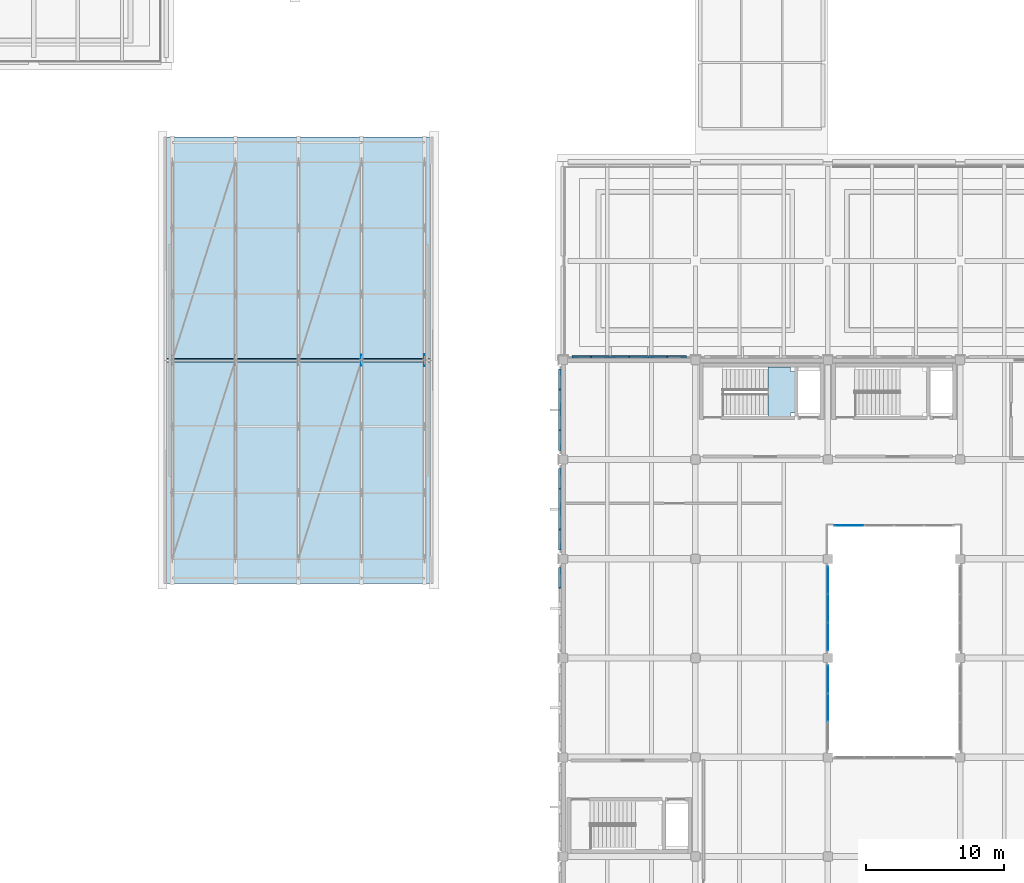
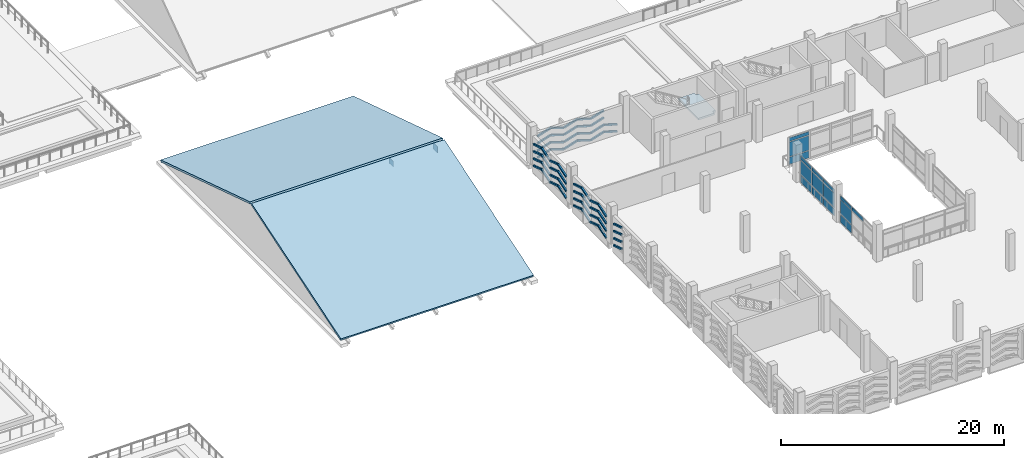
# One storey, part 94 of 134: 76 plates, 3 slabs, 4 elements without a shape of their own.
"""IFC4 building model written with IfcOpenShell, lengths in metres."""

import ifcopenshell
import ifcopenshell.guid

model = None  # the IFC model being written
_history = None  # IfcOwnerHistory: only IFC2X3 demands one
_inside = {}  # id of a spatial element -> (the spatial element, [elements in it])
_under = {}  # id of a project, library or spatial element -> (it, [spatial elements below it])
_declared = {}  # id of a project -> (the project, [libraries it declares])
_typed = {}  # id of a type object -> (the type object, [elements of that type])
_made_of = {}  # id of a material, layer set ... -> (it, [elements and type objects made of it])


def new_model(schema):
    """Start an empty IFC model of exactly this schema.

    Asked for "IFC4X3", IfcOpenShell would pick the latest addendum, in which some entities
    have other attributes; the version numbers below select the first issue.
    IFC2X3 requires an IfcOwnerHistory on every rooted entity: one is made here for all.
    """
    global model, _history
    if schema == "IFC4X3":
        model = ifcopenshell.file(schema_version=(4, 3, 0, 0))
    else:
        model = ifcopenshell.file(schema=schema)
    _inside.clear()
    _under.clear()
    _declared.clear()
    _typed.clear()
    _made_of.clear()
    _history = None
    if model.schema == "IFC2X3":
        org = make("IfcOrganization", Name="unknown")
        user = make(
            "IfcPersonAndOrganization",
            ThePerson=make("IfcPerson", FamilyName="unknown"),
            TheOrganization=org,
        )
        app = make(
            "IfcApplication",
            ApplicationDeveloper=org,
            Version="unknown",
            ApplicationFullName="unknown",
            ApplicationIdentifier="unknown",
        )
        _history = make(
            "IfcOwnerHistory",
            OwningUser=user,
            OwningApplication=app,
            ChangeAction="ADDED",
            CreationDate=0,
        )
    return model


def make(cls, **values):
    """One entity of the class cls with the attributes given. An attribute that is None is left unset."""
    return model.create_entity(
        cls, **{name: value for name, value in values.items() if value is not None}
    )


def rooted(cls, **values):
    """An entity with a GlobalId (a new one), such as an element, a storey or a relation."""
    return make(cls, GlobalId=ifcopenshell.guid.new(), OwnerHistory=_history, **values)


def si_unit(unit_type, name, prefix=None):
    """IfcSIUnit, for example si_unit("LENGTHUNIT", "METRE", prefix="MILLI")."""
    return make("IfcSIUnit", UnitType=unit_type, Prefix=prefix, Name=name)


def assignment(units):
    """IfcUnitAssignment: the units of a project."""
    return None if units is None else make("IfcUnitAssignment", Units=units)


def point(xyz):
    """IfcCartesianPoint."""
    return None if xyz is None else make("IfcCartesianPoint", Coordinates=xyz)


def direction(xyz):
    """IfcDirection."""
    return None if xyz is None else make("IfcDirection", DirectionRatios=xyz)


def frame(location, z_axis=None, x_axis=None):
    """IfcAxis2Placement3D, a coordinate frame: its origin and axes. An axis left out is left unset."""
    return make(
        "IfcAxis2Placement3D",
        Location=point(location),
        Axis=direction(z_axis),
        RefDirection=direction(x_axis),
    )


def frame_2d(location, x_axis=None):
    """IfcAxis2Placement2D, a coordinate frame in the plane: its origin and x axis."""
    return make(
        "IfcAxis2Placement2D", Location=point(location), RefDirection=direction(x_axis)
    )


def origin():
    """The frame at (0, 0, 0) with its axes left unset."""
    return frame((0.0, 0.0, 0.0))


def origin_2d():
    """The frame at (0, 0) in the plane with its x axis left unset."""
    return frame_2d((0.0, 0.0))


def place(relative_to, where):
    """IfcLocalPlacement: puts the frame where relative to a parent placement (None: the world)."""
    return make(
        "IfcLocalPlacement", PlacementRelTo=relative_to, RelativePlacement=where
    )


def context(
    kind, dimensions, precision=None, world=None, true_north=None, identifier=None
):
    """IfcGeometricRepresentationContext, for example the 3D "Model" context."""
    return make(
        "IfcGeometricRepresentationContext",
        ContextIdentifier=identifier,
        ContextType=kind,
        CoordinateSpaceDimension=dimensions,
        Precision=precision,
        WorldCoordinateSystem=world,
        TrueNorth=true_north,
    )


def subcontext(parent, identifier, kind, view, scale=None):
    """IfcGeometricRepresentationSubContext, for example "Body" below "Model"."""
    return make(
        "IfcGeometricRepresentationSubContext",
        ContextIdentifier=identifier,
        ContextType=kind,
        ParentContext=parent,
        TargetScale=scale,
        TargetView=view,
    )


def project(units=None, contexts=None):
    """IfcProject with its units and contexts."""
    return rooted(
        "IfcProject",
        Name="project",
        RepresentationContexts=contexts,
        UnitsInContext=assignment(units),
    )


def spatial(cls, under=None, at=None, **own):
    """A site, building, storey or space (cls), placed at a placement, below another one or the project."""
    s = rooted(cls, ObjectPlacement=at, **own)
    if under is not None:
        _under.setdefault(under.id(), (under, []))[1].append(s)
    return s


def polyline(points):
    """IfcPolyline through the points."""
    return make("IfcPolyline", Points=[point(p) for p in points])


def profile(cls, at=None, kind="AREA", **sizes):
    """A parametric profile (cls). Its sizes go by their IFC names, for example OverallWidth=200.0."""
    return make(cls, ProfileType=kind, Position=at, **sizes)


def rectangle(**sizes):
    """IfcRectangleProfileDef."""
    return profile("IfcRectangleProfileDef", **sizes)


def hollow_rectangle(**sizes):
    """IfcRectangleHollowProfileDef."""
    return profile("IfcRectangleHollowProfileDef", **sizes)


def outline(outer, holes=None, kind="AREA"):
    """IfcArbitraryClosedProfileDef: a profile drawn as a closed curve; with holes, ...WithVoids."""
    if holes is None:
        return make("IfcArbitraryClosedProfileDef", ProfileType=kind, OuterCurve=outer)
    return make(
        "IfcArbitraryProfileDefWithVoids",
        ProfileType=kind,
        OuterCurve=outer,
        InnerCurves=holes,
    )


def extrude(swept, where, along, depth):
    """IfcExtrudedAreaSolid: the profile swept, set in the frame where, extruded along a direction by depth."""
    return make(
        "IfcExtrudedAreaSolid",
        SweptArea=swept,
        Position=where,
        ExtrudedDirection=direction(along),
        Depth=depth,
    )


def shape(context_of_items, identifier, shape_type, items):
    """IfcShapeRepresentation: the items that make up one representation, for example the "Body"."""
    return make(
        "IfcShapeRepresentation",
        ContextOfItems=context_of_items,
        RepresentationIdentifier=identifier,
        RepresentationType=shape_type,
        Items=items,
    )


def material(Name=None, Category=None):
    """IfcMaterial."""
    return make("IfcMaterial", Name=Name, Category=Category)


def layer(
    of_material, thickness, ventilated=None, Name=None, Category=None, Priority=None
):
    """IfcMaterialLayer: one layer of a wall or slab, of a material (None: an air gap)."""
    return make(
        "IfcMaterialLayer",
        Material=of_material,
        LayerThickness=thickness,
        IsVentilated=ventilated,
        Name=Name,
        Category=Category,
        Priority=Priority,
    )


def layer_set(layers, Name=None):
    """IfcMaterialLayerSet."""
    return make("IfcMaterialLayerSet", MaterialLayers=layers, LayerSetName=Name)


def material_profile(
    of_material, cross_section, Name=None, Category=None, Priority=None
):
    """IfcMaterialProfile: a cross section and its material."""
    return make(
        "IfcMaterialProfile",
        Name=Name,
        Material=of_material,
        Profile=cross_section,
        Priority=Priority,
        Category=Category,
    )


def profile_set(profiles, Name=None, composite=None):
    """IfcMaterialProfileSet."""
    return make(
        "IfcMaterialProfileSet",
        Name=Name,
        MaterialProfiles=profiles,
        CompositeProfile=composite,
    )


def made_of(thing, what):
    """Note that an element or type object is made of a material, layer set ...; save() writes the relation."""
    if what is not None:
        _made_of.setdefault(what.id(), (what, []))[1].append(thing)
    return thing


def type_object(cls, material=None, **own):
    """A type object (cls), such as IfcWallType, which elements share."""
    return made_of(rooted(cls, **own), material)


def element(
    cls,
    number,
    at=None,
    inside=None,
    cuts=None,
    type_object=None,
    material=None,
    context=None,
    identifier="Body",
    shape_type=None,
    held_by="IfcProductDefinitionShape",
    body=None,
    shapes=None,
    **own,
):
    """One element of the class cls, such as IfcWall. Its Tag is "e" and its number.

    at: its placement. inside: the storey or other place that contains it. cuts: it is an
    opening in that element (IfcRelVoidsElement). A single representation is given by context,
    identifier, shape_type and body (its items); several are given by shapes. held_by: the class
    of the entity that holds the representations. save() writes the other relations.
    """
    e = rooted(cls, Tag="e%d" % number, ObjectPlacement=at, **own)
    if body is not None:
        shapes = [shape(context, identifier, shape_type, body)]
    if shapes is not None:
        e.Representation = make(held_by, Representations=shapes)
    if inside is not None:
        _inside.setdefault(inside.id(), (inside, []))[1].append(e)
    if cuts is not None:
        rooted(
            "IfcRelVoidsElement", RelatingBuildingElement=cuts, RelatedOpeningElement=e
        )
    if type_object is not None:
        _typed.setdefault(type_object.id(), (type_object, []))[1].append(e)
    return made_of(e, material)


def aggregate(whole, parts):
    """IfcRelAggregates: a whole, such as a stair, and the parts it consists of."""
    return rooted("IfcRelAggregates", RelatingObject=whole, RelatedObjects=parts)


def save(model, path):
    """Write the relations noted so far, then the file.

    IfcRelAggregates (storeys below a building ...), IfcRelContainedInSpatialStructure (elements
    in a storey), IfcRelDefinesByType, IfcRelAssociatesMaterial and IfcRelDeclares: one each for
    every whole, place, type object, material and project.
    """
    for whole, parts in _under.values():
        aggregate(whole, parts)
    for where, things in _inside.values():
        rooted(
            "IfcRelContainedInSpatialStructure",
            RelatedElements=things,
            RelatingStructure=where,
        )
    for kind, things in _typed.values():
        rooted("IfcRelDefinesByType", RelatedObjects=things, RelatingType=kind)
    for what, things in _made_of.values():
        rooted("IfcRelAssociatesMaterial", RelatedObjects=things, RelatingMaterial=what)
    for by, libraries in _declared.values():
        rooted("IfcRelDeclares", RelatingContext=by, RelatedDefinitions=libraries)
    model.write(path)


model = new_model("IFC4")

# Units and contexts
model_context = context("Model", 3, precision=1e-05, world=origin(), true_north=direction((0.0, 1.0)))
body_context = subcontext(model_context, "Body", "Model", "MODEL_VIEW")
ifc_project = project(units=[si_unit("LENGTHUNIT", "METRE"), si_unit("AREAUNIT", "SQUARE_METRE"), si_unit("VOLUMEUNIT", "CUBIC_METRE"), si_unit("PLANEANGLEUNIT", "RADIAN"), si_unit("MASSUNIT", "GRAM", prefix="KILO")], contexts=[model_context])

# Site, building, storey
site_placement = place(None, origin())
site = spatial("IfcSite", under=ifc_project, at=site_placement, CompositionType="ELEMENT")
building_placement = place(site_placement, origin())
building = spatial("IfcBuilding", under=site, at=building_placement, Name="Asteropetra Specialist Clinic", CompositionType="ELEMENT")
storey_placement = place(building_placement, frame((0.0, 0.0, 8.5)))
storey = spatial("IfcBuildingStorey", under=building, at=storey_placement, Name="L02", CompositionType="ELEMENT", Elevation=8.5)

# Plates
ifc_material_1 = material(Name="Chevron emerald aluminium 6063-T6", Category="aluminium")
ifc_material_profile = material_profile(ifc_material_1, hollow_rectangle(XDim=0.179931640625, YDim=0.179931640625, WallThickness=0.010009765625, InnerFilletRadius=0.008056640625, OuterFilletRadius=0.01611328125, at=origin_2d()), Name="SHS 180x180x10.0")
ifc_profile_set = profile_set([ifc_material_profile], Name="Chevron emerald aluminium 6063-T6")
plate_type_1 = type_object("IfcPlateType", Name="CHV-RIB-180", PredefinedType="SHEET", material=ifc_profile_set)
for number, where, z_axis, x_axis, name in (
    (1, (114.534912109375, 48.239501953125, 0.050048828125), (-0.952430080856, 0.0, 0.304757183805), (0.0, -1.0, 0.0), "Chevron Facade Screen Fin CVR-2488"),
    (2, (113.169921875, 48.239501953125, 0.48681640625), (-0.952430080856, 0.0, -0.304757183805), (0.0, -1.0, 0.0), "Chevron Facade Screen Fin CVR-2489"),
    (3, (114.534912109375, 48.239501953125, 0.820068359375), (-0.952479516829, 0.0, 0.304602642835), (0.0, -1.0, 0.0), "Chevron Facade Screen Fin CVR-2490"),
    (4, (113.169921875, 48.239501953125, 1.256591796875), (-0.952479516829, 0.0, -0.304602642835), (0.0, -1.0, 0.0), "Chevron Facade Screen Fin CVR-2491"),
    (5, (113.169921875, 48.239501953125, 2.056640625), (-0.952479516829, 0.0, -0.304602642835), (0.0, -1.0, 0.0), "Chevron Facade Screen Fin CVR-2493"),
    (6, (113.169921875, 48.239501953125, 2.836669921875), (-0.952430080856, 0.0, -0.304757183805), (0.0, -1.0, 0.0), "Chevron Facade Screen Fin CVR-2495"),
    (7, (111.764892578125, 48.239501953125, 0.050048828125), (-0.952430080856, 0.0, 0.304757183805), (0.0, -1.0, 0.0), "Chevron Facade Screen Fin CVR-2496"),
    (8, (110.39990234375, 48.239501953125, 0.48681640625), (-0.952430080856, 0.0, -0.304757183805), (0.0, -1.0, 0.0), "Chevron Facade Screen Fin CVR-2497"),
    (9, (111.764892578125, 48.239501953125, 0.820068359375), (-0.952479516829, 0.0, 0.304602642835), (0.0, -1.0, 0.0), "Chevron Facade Screen Fin CVR-2498"),
    (10, (110.39990234375, 48.239501953125, 1.256591796875), (-0.952479516829, 0.0, -0.304602642835), (0.0, -1.0, 0.0), "Chevron Facade Screen Fin CVR-2499"),
    (11, (111.764892578125, 48.239501953125, 1.6201171875), (-0.952479516829, 0.0, 0.304602642835), (0.0, -1.0, 0.0), "Chevron Facade Screen Fin CVR-2500"),
    (12, (110.39990234375, 48.239501953125, 2.056640625), (-0.952479516829, 0.0, -0.304602642835), (0.0, -1.0, 0.0), "Chevron Facade Screen Fin CVR-2501"),
    (13, (111.764892578125, 48.239501953125, 2.39990234375), (-0.952430080856, 0.0, 0.304757183805), (0.0, -1.0, 0.0), "Chevron Facade Screen Fin CVR-2502"),
    (14, (110.39990234375, 48.239501953125, 2.836669921875), (-0.952430080856, 0.0, -0.304757183805), (0.0, -1.0, 0.0), "Chevron Facade Screen Fin CVR-2503"),
):
    element("IfcPlate", number, at=place(storey_placement, frame(where, z_axis=z_axis, x_axis=x_axis)), inside=storey, type_object=plate_type_1, Name=name, PredefinedType="SHEET", context=body_context, shape_type="SweptSolid", body=[
        extrude(hollow_rectangle(XDim=0.179931640625, YDim=0.179931640625, WallThickness=0.010009765625, InnerFilletRadius=0.008056640625, OuterFilletRadius=0.01611328125, at=origin_2d()), origin(), (0.0, 0.0, 1.0), 1.43310546875),
    ])
plate_1_placement = place(storey_placement, frame((108.9951171875, 48.239501953125, 0.050048828125), z_axis=(-0.952445898647, 0.0, 0.304707745472), x_axis=(0.0, -1.0, 0.0)))
element("IfcPlate", 15, at=plate_1_placement, inside=storey, type_object=plate_type_1, Name="Chevron Facade Screen Fin CVR-2504", PredefinedType="SHEET", context=body_context, shape_type="SweptSolid", body=[
    extrude(hollow_rectangle(XDim=0.179931640625, YDim=0.179931640625, WallThickness=0.010009765625, InnerFilletRadius=0.008056640625, OuterFilletRadius=0.01611328125, at=origin_2d()), origin(), (0.0, 0.0, 1.0), 1.433349609375),
])
plate_2_placement = place(storey_placement, frame((107.6298828125, 48.239501953125, 0.48681640625), z_axis=(-0.952430080856, 0.0, -0.304757183805), x_axis=(0.0, -1.0, 0.0)))
element("IfcPlate", 16, at=plate_2_placement, inside=storey, type_object=plate_type_1, Name="Chevron Facade Screen Fin CVR-2505", PredefinedType="SHEET", context=body_context, shape_type="SweptSolid", body=[
    extrude(hollow_rectangle(XDim=0.179931640625, YDim=0.179931640625, WallThickness=0.010009765625, InnerFilletRadius=0.008056640625, OuterFilletRadius=0.01611328125, at=origin_2d()), origin(), (0.0, 0.0, 1.0), 1.43310546875),
])
plate_3_placement = place(storey_placement, frame((108.9951171875, 48.239501953125, 0.820068359375), z_axis=(-0.952495319401, 0.0, 0.304553224444), x_axis=(0.0, -1.0, 0.0)))
element("IfcPlate", 17, at=plate_3_placement, inside=storey, type_object=plate_type_1, Name="Chevron Facade Screen Fin CVR-2506", PredefinedType="SHEET", context=body_context, shape_type="SweptSolid", body=[
    extrude(hollow_rectangle(XDim=0.179931640625, YDim=0.179931640625, WallThickness=0.010009765625, InnerFilletRadius=0.008056640625, OuterFilletRadius=0.01611328125, at=origin_2d()), origin(), (0.0, 0.0, 1.0), 1.433349609375),
])
plate_4_placement = place(storey_placement, frame((107.6298828125, 48.239501953125, 1.256591796875), z_axis=(-0.952479516829, 0.0, -0.304602642835), x_axis=(0.0, -1.0, 0.0)))
element("IfcPlate", 18, at=plate_4_placement, inside=storey, type_object=plate_type_1, Name="Chevron Facade Screen Fin CVR-2507", PredefinedType="SHEET", context=body_context, shape_type="SweptSolid", body=[
    extrude(hollow_rectangle(XDim=0.179931640625, YDim=0.179931640625, WallThickness=0.010009765625, InnerFilletRadius=0.008056640625, OuterFilletRadius=0.01611328125, at=origin_2d()), origin(), (0.0, 0.0, 1.0), 1.43310546875),
])
plate_5_placement = place(storey_placement, frame((108.9951171875, 48.239501953125, 1.6201171875), z_axis=(-0.952495319401, 0.0, 0.304553224444), x_axis=(0.0, -1.0, 0.0)))
element("IfcPlate", 19, at=plate_5_placement, inside=storey, type_object=plate_type_1, Name="Chevron Facade Screen Fin CVR-2508", PredefinedType="SHEET", context=body_context, shape_type="SweptSolid", body=[
    extrude(hollow_rectangle(XDim=0.179931640625, YDim=0.179931640625, WallThickness=0.010009765625, InnerFilletRadius=0.008056640625, OuterFilletRadius=0.01611328125, at=origin_2d()), origin(), (0.0, 0.0, 1.0), 1.433349609375),
])
plate_6_placement = place(storey_placement, frame((107.6298828125, 48.239501953125, 2.056640625), z_axis=(-0.952479516829, 0.0, -0.304602642835), x_axis=(0.0, -1.0, 0.0)))
element("IfcPlate", 20, at=plate_6_placement, inside=storey, type_object=plate_type_1, Name="Chevron Facade Screen Fin CVR-2509", PredefinedType="SHEET", context=body_context, shape_type="SweptSolid", body=[
    extrude(hollow_rectangle(XDim=0.179931640625, YDim=0.179931640625, WallThickness=0.010009765625, InnerFilletRadius=0.008056640625, OuterFilletRadius=0.01611328125, at=origin_2d()), origin(), (0.0, 0.0, 1.0), 1.43310546875),
])
plate_7_placement = place(storey_placement, frame((108.9951171875, 48.239501953125, 2.39990234375), z_axis=(-0.952445898647, 0.0, 0.304707745472), x_axis=(0.0, -1.0, 0.0)))
element("IfcPlate", 21, at=plate_7_placement, inside=storey, type_object=plate_type_1, Name="Chevron Facade Screen Fin CVR-2510", PredefinedType="SHEET", context=body_context, shape_type="SweptSolid", body=[
    extrude(hollow_rectangle(XDim=0.179931640625, YDim=0.179931640625, WallThickness=0.010009765625, InnerFilletRadius=0.008056640625, OuterFilletRadius=0.01611328125, at=origin_2d()), origin(), (0.0, 0.0, 1.0), 1.433349609375),
])
plate_8_placement = place(storey_placement, frame((107.6298828125, 48.239501953125, 2.836669921875), z_axis=(-0.952430080856, 0.0, -0.304757183805), x_axis=(0.0, -1.0, 0.0)))
element("IfcPlate", 22, at=plate_8_placement, inside=storey, type_object=plate_type_1, Name="Chevron Facade Screen Fin CVR-2511", PredefinedType="SHEET", context=body_context, shape_type="SweptSolid", body=[
    extrude(hollow_rectangle(XDim=0.179931640625, YDim=0.179931640625, WallThickness=0.010009765625, InnerFilletRadius=0.008056640625, OuterFilletRadius=0.01611328125, at=origin_2d()), origin(), (0.0, 0.0, 1.0), 1.43310546875),
])
for number, where, z_axis, x_axis, name in (
    (23, (105.360595703125, 32.93505859375, 0.050048828125), (0.0, -0.952535238788, 0.304428347673), (1.0, 0.0, 0.0), "Chevron Facade Screen Fin CVR-2798"),
    (24, (105.360595703125, 32.93505859375, 0.820068359375), (0.0, -0.952535238788, 0.304428347673), (1.0, 0.0, 0.0), "Chevron Facade Screen Fin CVR-2800"),
    (25, (105.360595703125, 32.93505859375, 1.6201171875), (0.0, -0.952535238788, 0.304428347673), (1.0, 0.0, 0.0), "Chevron Facade Screen Fin CVR-2802"),
):
    element("IfcPlate", number, at=place(storey_placement, frame(where, z_axis=z_axis, x_axis=x_axis)), inside=storey, type_object=plate_type_1, Name=name, PredefinedType="SHEET", context=body_context, shape_type="SweptSolid", body=[
        extrude(hollow_rectangle(XDim=0.179931640625, YDim=0.179931640625, WallThickness=0.010009765625, InnerFilletRadius=0.008056640625, OuterFilletRadius=0.01611328125, at=origin_2d()), origin(), (0.0, 0.0, 1.0), 1.530029296875),
    ])
plate_9_placement = place(storey_placement, frame((105.360595703125, 32.93505859375, 2.39990234375), z_axis=(0.0, -0.952488962874, 0.304573103874), x_axis=(1.0, 0.0, 0.0)))
element("IfcPlate", 26, at=plate_9_placement, inside=storey, type_object=plate_type_1, Name="Chevron Facade Screen Fin CVR-2804", PredefinedType="SHEET", context=body_context, shape_type="SweptSolid", body=[
    extrude(hollow_rectangle(XDim=0.179931640625, YDim=0.179931640625, WallThickness=0.010009765625, InnerFilletRadius=0.008056640625, OuterFilletRadius=0.01611328125, at=origin_2d()), origin(), (0.0, 0.0, 1.0), 1.5302734375),
])
for number, where, z_axis, x_axis, name in (
    (27, (105.360595703125, 40.135009765625, 0.050048828125), (0.0, -0.952535238788, 0.304428347673), (1.0, 0.0, 0.0), "Chevron Facade Screen Fin CVR-2830"),
    (28, (105.360595703125, 38.677490234375, 0.515869140625), (0.0, -0.952535238788, -0.304428347673), (1.0, 0.0, 0.0), "Chevron Facade Screen Fin CVR-2831"),
    (29, (105.360595703125, 40.135009765625, 0.820068359375), (0.0, -0.952535238788, 0.304428347673), (1.0, 0.0, 0.0), "Chevron Facade Screen Fin CVR-2832"),
    (30, (105.360595703125, 38.677490234375, 1.285888671875), (0.0, -0.952535238788, -0.304428347673), (1.0, 0.0, 0.0), "Chevron Facade Screen Fin CVR-2833"),
    (31, (105.360595703125, 40.135009765625, 1.6201171875), (0.0, -0.952535238788, 0.304428347673), (1.0, 0.0, 0.0), "Chevron Facade Screen Fin CVR-2834"),
    (32, (105.360595703125, 38.677490234375, 2.0859375), (0.0, -0.952535238788, -0.304428347673), (1.0, 0.0, 0.0), "Chevron Facade Screen Fin CVR-2835"),
):
    element("IfcPlate", number, at=place(storey_placement, frame(where, z_axis=z_axis, x_axis=x_axis)), inside=storey, type_object=plate_type_1, Name=name, PredefinedType="SHEET", context=body_context, shape_type="SweptSolid", body=[
        extrude(hollow_rectangle(XDim=0.179931640625, YDim=0.179931640625, WallThickness=0.010009765625, InnerFilletRadius=0.008056640625, OuterFilletRadius=0.01611328125, at=origin_2d()), origin(), (0.0, 0.0, 1.0), 1.530029296875),
    ])
for number, where, z_axis, x_axis, name in (
    (33, (105.360595703125, 40.135009765625, 2.39990234375), (0.0, -0.952488962874, 0.304573103874), (1.0, 0.0, 0.0), "Chevron Facade Screen Fin CVR-2836"),
    (34, (105.360595703125, 38.677490234375, 2.865966796875), (0.0, -0.952488962874, -0.304573103874), (1.0, 0.0, 0.0), "Chevron Facade Screen Fin CVR-2837"),
):
    element("IfcPlate", number, at=place(storey_placement, frame(where, z_axis=z_axis, x_axis=x_axis)), inside=storey, type_object=plate_type_1, Name=name, PredefinedType="SHEET", context=body_context, shape_type="SweptSolid", body=[
        extrude(hollow_rectangle(XDim=0.179931640625, YDim=0.179931640625, WallThickness=0.010009765625, InnerFilletRadius=0.008056640625, OuterFilletRadius=0.01611328125, at=origin_2d()), origin(), (0.0, 0.0, 1.0), 1.5302734375),
    ])
for number, where, z_axis, x_axis, name in (
    (35, (105.360595703125, 37.179931640625, 0.050048828125), (0.0, -0.952535238788, 0.304428347673), (1.0, 0.0, 0.0), "Chevron Facade Screen Fin CVR-2838"),
    (36, (105.360595703125, 35.722412109375, 0.515869140625), (0.0, -0.952535238788, -0.304428347673), (1.0, 0.0, 0.0), "Chevron Facade Screen Fin CVR-2839"),
    (37, (105.360595703125, 37.179931640625, 0.820068359375), (0.0, -0.952535238788, 0.304428347673), (1.0, 0.0, 0.0), "Chevron Facade Screen Fin CVR-2840"),
    (38, (105.360595703125, 35.722412109375, 1.285888671875), (0.0, -0.952535238788, -0.304428347673), (1.0, 0.0, 0.0), "Chevron Facade Screen Fin CVR-2841"),
    (39, (105.360595703125, 37.179931640625, 1.6201171875), (0.0, -0.952535238788, 0.304428347673), (1.0, 0.0, 0.0), "Chevron Facade Screen Fin CVR-2842"),
    (40, (105.360595703125, 35.722412109375, 2.0859375), (0.0, -0.952535238788, -0.304428347673), (1.0, 0.0, 0.0), "Chevron Facade Screen Fin CVR-2843"),
):
    element("IfcPlate", number, at=place(storey_placement, frame(where, z_axis=z_axis, x_axis=x_axis)), inside=storey, type_object=plate_type_1, Name=name, PredefinedType="SHEET", context=body_context, shape_type="SweptSolid", body=[
        extrude(hollow_rectangle(XDim=0.179931640625, YDim=0.179931640625, WallThickness=0.010009765625, InnerFilletRadius=0.008056640625, OuterFilletRadius=0.01611328125, at=origin_2d()), origin(), (0.0, 0.0, 1.0), 1.530029296875),
    ])
for number, where, z_axis, x_axis, name in (
    (41, (105.360595703125, 37.179931640625, 2.39990234375), (0.0, -0.952488962874, 0.304573103874), (1.0, 0.0, 0.0), "Chevron Facade Screen Fin CVR-2844"),
    (42, (105.360595703125, 35.722412109375, 2.865966796875), (0.0, -0.952488962874, -0.304573103874), (1.0, 0.0, 0.0), "Chevron Facade Screen Fin CVR-2845"),
):
    element("IfcPlate", number, at=place(storey_placement, frame(where, z_axis=z_axis, x_axis=x_axis)), inside=storey, type_object=plate_type_1, Name=name, PredefinedType="SHEET", context=body_context, shape_type="SweptSolid", body=[
        extrude(hollow_rectangle(XDim=0.179931640625, YDim=0.179931640625, WallThickness=0.010009765625, InnerFilletRadius=0.008056640625, OuterFilletRadius=0.01611328125, at=origin_2d()), origin(), (0.0, 0.0, 1.0), 1.5302734375),
    ])
for number, where, z_axis, x_axis, name in (
    (43, (105.360595703125, 47.3349609375, 0.050048828125), (0.0, -0.952535238788, 0.304428347673), (1.0, 0.0, 0.0), "Chevron Facade Screen Fin CVR-2862"),
    (44, (105.360595703125, 45.87744140625, 0.515869140625), (0.0, -0.952535238788, -0.304428347673), (1.0, 0.0, 0.0), "Chevron Facade Screen Fin CVR-2863"),
    (45, (105.360595703125, 47.3349609375, 0.820068359375), (0.0, -0.952535238788, 0.304428347673), (1.0, 0.0, 0.0), "Chevron Facade Screen Fin CVR-2864"),
    (46, (105.360595703125, 45.87744140625, 1.285888671875), (0.0, -0.952535238788, -0.304428347673), (1.0, 0.0, 0.0), "Chevron Facade Screen Fin CVR-2865"),
    (47, (105.360595703125, 47.3349609375, 1.6201171875), (0.0, -0.952535238788, 0.304428347673), (1.0, 0.0, 0.0), "Chevron Facade Screen Fin CVR-2866"),
    (48, (105.360595703125, 45.87744140625, 2.0859375), (0.0, -0.952535238788, -0.304428347673), (1.0, 0.0, 0.0), "Chevron Facade Screen Fin CVR-2867"),
):
    element("IfcPlate", number, at=place(storey_placement, frame(where, z_axis=z_axis, x_axis=x_axis)), inside=storey, type_object=plate_type_1, Name=name, PredefinedType="SHEET", context=body_context, shape_type="SweptSolid", body=[
        extrude(hollow_rectangle(XDim=0.179931640625, YDim=0.179931640625, WallThickness=0.010009765625, InnerFilletRadius=0.008056640625, OuterFilletRadius=0.01611328125, at=origin_2d()), origin(), (0.0, 0.0, 1.0), 1.530029296875),
    ])
for number, where, z_axis, x_axis, name in (
    (49, (105.360595703125, 47.3349609375, 2.39990234375), (0.0, -0.952488962874, 0.304573103874), (1.0, 0.0, 0.0), "Chevron Facade Screen Fin CVR-2868"),
    (50, (105.360595703125, 45.87744140625, 2.865966796875), (0.0, -0.952488962874, -0.304573103874), (1.0, 0.0, 0.0), "Chevron Facade Screen Fin CVR-2869"),
):
    element("IfcPlate", number, at=place(storey_placement, frame(where, z_axis=z_axis, x_axis=x_axis)), inside=storey, type_object=plate_type_1, Name=name, PredefinedType="SHEET", context=body_context, shape_type="SweptSolid", body=[
        extrude(hollow_rectangle(XDim=0.179931640625, YDim=0.179931640625, WallThickness=0.010009765625, InnerFilletRadius=0.008056640625, OuterFilletRadius=0.01611328125, at=origin_2d()), origin(), (0.0, 0.0, 1.0), 1.5302734375),
    ])
for number, where, z_axis, x_axis, name in (
    (51, (105.360595703125, 44.3798828125, 0.050048828125), (0.0, -0.952520448524, 0.304474621509), (1.0, 0.0, 0.0), "Chevron Facade Screen Fin CVR-2870"),
    (52, (105.360595703125, 42.922607421875, 0.515869140625), (0.0, -0.952535238788, -0.304428347673), (1.0, 0.0, 0.0), "Chevron Facade Screen Fin CVR-2871"),
    (53, (105.360595703125, 44.3798828125, 0.820068359375), (0.0, -0.952520448524, 0.304474621509), (1.0, 0.0, 0.0), "Chevron Facade Screen Fin CVR-2872"),
    (54, (105.360595703125, 42.922607421875, 1.285888671875), (0.0, -0.952535238788, -0.304428347673), (1.0, 0.0, 0.0), "Chevron Facade Screen Fin CVR-2873"),
    (55, (105.360595703125, 44.3798828125, 1.6201171875), (0.0, -0.952520448524, 0.304474621509), (1.0, 0.0, 0.0), "Chevron Facade Screen Fin CVR-2874"),
    (56, (105.360595703125, 42.922607421875, 2.0859375), (0.0, -0.952535238788, -0.304428347673), (1.0, 0.0, 0.0), "Chevron Facade Screen Fin CVR-2875"),
    (57, (105.360595703125, 44.3798828125, 2.39990234375), (0.0, -0.952474159261, 0.304619395213), (1.0, 0.0, 0.0), "Chevron Facade Screen Fin CVR-2876"),
):
    element("IfcPlate", number, at=place(storey_placement, frame(where, z_axis=z_axis, x_axis=x_axis)), inside=storey, type_object=plate_type_1, Name=name, PredefinedType="SHEET", context=body_context, shape_type="SweptSolid", body=[
        extrude(hollow_rectangle(XDim=0.179931640625, YDim=0.179931640625, WallThickness=0.010009765625, InnerFilletRadius=0.008056640625, OuterFilletRadius=0.01611328125, at=origin_2d()), origin(), (0.0, 0.0, 1.0), 1.530029296875),
    ])
plate_10_placement = place(storey_placement, frame((105.360595703125, 42.922607421875, 2.865966796875), z_axis=(0.0, -0.952488962874, -0.304573103874), x_axis=(1.0, 0.0, 0.0)))
element("IfcPlate", 58, at=plate_10_placement, inside=storey, type_object=plate_type_1, Name="Chevron Facade Screen Fin CVR-2877", PredefinedType="SHEET", context=body_context, shape_type="SweptSolid", body=[
    extrude(hollow_rectangle(XDim=0.179931640625, YDim=0.179931640625, WallThickness=0.010009765625, InnerFilletRadius=0.008056640625, OuterFilletRadius=0.01611328125, at=origin_2d()), origin(), (0.0, 0.0, 1.0), 1.5302734375),
])

# Curtain wall, plates
ifc_material_2 = material(Name="Aluminium and low-E glass", Category="aluminium")
ifc_layer_1 = layer(ifc_material_2, 0.14990234375)
ifc_layer_set_1 = layer_set([ifc_layer_1], Name="Aluminium and low-E glass")
curtain_wall_type_1 = type_object("IfcCurtainWallType", Name="CW-SYS-11", PredefinedType="USERDEFINED", material=ifc_layer_set_1)
curtain_wall_1_placement = place(storey_placement, origin())
curtain_wall_1 = element("IfcCurtainWall", 59, at=curtain_wall_1_placement, inside=storey, type_object=curtain_wall_type_1, Name="Curtain Wall CW-081", ObjectType="STICK GLAZED COLONNADE", PredefinedType="USERDEFINED")
ifc_material_3 = material(Name="Low-E acoustic double glazing", Category="glass")
ifc_layer_2 = layer(ifc_material_3, 0.031982421875)
ifc_layer_set_2 = layer_set([ifc_layer_2], Name="Low-E acoustic double glazing")
plate_type_2 = type_object("IfcPlateType", Name="CWP-GLZ-32", PredefinedType="CURTAIN_PANEL", material=ifc_layer_set_2)
plate_11_placement = place(storey_placement, frame((124.800048828125, 32.057861328125, 0.074951171875), z_axis=(0.0, 0.0, 1.0), x_axis=(0.0, -1.0, 0.0)))
plate_11 = element("IfcPlate", 60, at=plate_11_placement, type_object=plate_type_2, Name="CW-081 panel 1.1", PredefinedType="CURTAIN_PANEL", context=body_context, shape_type="SweptSolid", body=[
    extrude(rectangle(XDim=1.964111328125, YDim=0.031982421875, at=origin_2d()), origin(), (0.0, 0.0, 1.0), 0.78759765625),
])
plate_12_placement = place(storey_placement, frame((124.800048828125, 32.057861328125, 0.9375), z_axis=(0.0, 0.0, 1.0), x_axis=(0.0, -1.0, 0.0)))
plate_12 = element("IfcPlate", 61, at=plate_12_placement, type_object=plate_type_2, Name="CW-081 panel 1.2", PredefinedType="CURTAIN_PANEL", context=body_context, shape_type="SweptSolid", body=[
    extrude(rectangle(XDim=1.964111328125, YDim=0.031982421875, at=origin_2d()), origin(), (0.0, 0.0, 1.0), 1.5849609375),
])
plate_13_placement = place(storey_placement, frame((124.800048828125, 32.057861328125, 2.59765625), z_axis=(0.0, 0.0, 1.0), x_axis=(0.0, -1.0, 0.0)))
plate_13 = element("IfcPlate", 62, at=plate_13_placement, type_object=plate_type_2, Name="CW-081 panel 1.3", PredefinedType="CURTAIN_PANEL", context=body_context, shape_type="SweptSolid", body=[
    extrude(rectangle(XDim=1.964111328125, YDim=0.031982421875, at=origin_2d()), origin(), (0.0, 0.0, 1.0), 0.387451171875),
])
plate_14_placement = place(storey_placement, frame((124.800048828125, 30.0, 0.074951171875), z_axis=(0.0, 0.0, 1.0), x_axis=(0.0, -1.0, 0.0)))
plate_14 = element("IfcPlate", 63, at=plate_14_placement, type_object=plate_type_2, Name="CW-081 panel 2.1", PredefinedType="CURTAIN_PANEL", context=body_context, shape_type="SweptSolid", body=[
    extrude(rectangle(XDim=2.001708984375, YDim=0.031982421875, at=origin_2d()), origin(), (0.0, 0.0, 1.0), 0.78759765625),
])
plate_15_placement = place(storey_placement, frame((124.800048828125, 30.0, 0.9375), z_axis=(0.0, 0.0, 1.0), x_axis=(0.0, -1.0, 0.0)))
plate_15 = element("IfcPlate", 64, at=plate_15_placement, type_object=plate_type_2, Name="CW-081 panel 2.2", PredefinedType="CURTAIN_PANEL", context=body_context, shape_type="SweptSolid", body=[
    extrude(rectangle(XDim=2.001708984375, YDim=0.031982421875, at=origin_2d()), origin(), (0.0, 0.0, 1.0), 1.5849609375),
])
plate_16_placement = place(storey_placement, frame((124.800048828125, 30.0, 2.59765625), z_axis=(0.0, 0.0, 1.0), x_axis=(0.0, -1.0, 0.0)))
plate_16 = element("IfcPlate", 65, at=plate_16_placement, type_object=plate_type_2, Name="CW-081 panel 2.3", PredefinedType="CURTAIN_PANEL", context=body_context, shape_type="SweptSolid", body=[
    extrude(rectangle(XDim=2.001708984375, YDim=0.031982421875, at=origin_2d()), origin(), (0.0, 0.0, 1.0), 0.387451171875),
])
plate_17_placement = place(storey_placement, frame((124.800048828125, 27.942138671875, 0.074951171875), z_axis=(0.0, 0.0, 1.0), x_axis=(0.0, -1.0, 0.0)))
plate_17 = element("IfcPlate", 66, at=plate_17_placement, type_object=plate_type_2, Name="CW-081 panel 3.1", PredefinedType="CURTAIN_PANEL", context=body_context, shape_type="SweptSolid", body=[
    extrude(rectangle(XDim=1.964111328125, YDim=0.031982421875, at=origin_2d()), origin(), (0.0, 0.0, 1.0), 0.78759765625),
])
plate_18_placement = place(storey_placement, frame((124.800048828125, 27.942138671875, 0.9375), z_axis=(0.0, 0.0, 1.0), x_axis=(0.0, -1.0, 0.0)))
plate_18 = element("IfcPlate", 67, at=plate_18_placement, type_object=plate_type_2, Name="CW-081 panel 3.2", PredefinedType="CURTAIN_PANEL", context=body_context, shape_type="SweptSolid", body=[
    extrude(rectangle(XDim=1.964111328125, YDim=0.031982421875, at=origin_2d()), origin(), (0.0, 0.0, 1.0), 1.5849609375),
])
plate_19_placement = place(storey_placement, frame((124.800048828125, 27.942138671875, 2.59765625), z_axis=(0.0, 0.0, 1.0), x_axis=(0.0, -1.0, 0.0)))
plate_19 = element("IfcPlate", 68, at=plate_19_placement, type_object=plate_type_2, Name="CW-081 panel 3.3", PredefinedType="CURTAIN_PANEL", context=body_context, shape_type="SweptSolid", body=[
    extrude(rectangle(XDim=1.964111328125, YDim=0.031982421875, at=origin_2d()), origin(), (0.0, 0.0, 1.0), 0.387451171875),
])
aggregate(curtain_wall_1, [plate_11, plate_12, plate_13, plate_14, plate_15, plate_16, plate_17, plate_18, plate_19])

ifc_material_4 = material(Name="Aluminium and low-E glass", Category="aluminium")
ifc_layer_3 = layer(ifc_material_4, 0.135009765625)
ifc_layer_set_3 = layer_set([ifc_layer_3], Name="Aluminium and low-E glass")
curtain_wall_type_2 = type_object("IfcCurtainWallType", Name="CW-SYS-09", PredefinedType="USERDEFINED", material=ifc_layer_set_3)
curtain_wall_2_placement = place(storey_placement, origin())
curtain_wall_2 = element("IfcCurtainWall", 69, at=curtain_wall_2_placement, inside=storey, type_object=curtain_wall_type_2, Name="Curtain Wall CW-078", ObjectType="STICK GLAZED COLONNADE", PredefinedType="USERDEFINED")
ifc_material_5 = material(Name="Solar-control triple glazing", Category="glass")
ifc_layer_4 = layer(ifc_material_5, 0.035888671875)
ifc_layer_set_4 = layer_set([ifc_layer_4], Name="Solar-control triple glazing")
plate_type_3 = type_object("IfcPlateType", Name="CWP-GLZ-36", PredefinedType="CURTAIN_PANEL", material=ifc_layer_set_4)
plate_20_placement = place(storey_placement, frame((126.3486328125, 36.0, 0.074951171875), z_axis=(0.0, 0.0, 1.0), x_axis=(-1.0, 0.0, 0.0)))
plate_20 = element("IfcPlate", 70, at=plate_20_placement, type_object=plate_type_3, Name="CW-078 panel 4.1", PredefinedType="CURTAIN_PANEL", context=body_context, shape_type="SweptSolid", body=[
    extrude(rectangle(XDim=2.0673828125, YDim=0.035888671875, at=origin_2d()), origin(), (0.0, 0.0, 1.0), 0.78759765625),
])
plate_21_placement = place(storey_placement, frame((126.3486328125, 36.0, 0.9375), z_axis=(0.0, 0.0, 1.0), x_axis=(-1.0, 0.0, 0.0)))
plate_21 = element("IfcPlate", 71, at=plate_21_placement, type_object=plate_type_3, Name="CW-078 panel 4.2", PredefinedType="CURTAIN_PANEL", context=body_context, shape_type="SweptSolid", body=[
    extrude(rectangle(XDim=2.0673828125, YDim=0.035888671875, at=origin_2d()), origin(), (0.0, 0.0, 1.0), 1.5849609375),
])
plate_22_placement = place(storey_placement, frame((126.3486328125, 36.0, 2.59765625), z_axis=(0.0, 0.0, 1.0), x_axis=(-1.0, 0.0, 0.0)))
plate_22 = element("IfcPlate", 72, at=plate_22_placement, type_object=plate_type_3, Name="CW-078 panel 4.3", PredefinedType="CURTAIN_PANEL", context=body_context, shape_type="SweptSolid", body=[
    extrude(rectangle(XDim=2.0673828125, YDim=0.035888671875, at=origin_2d()), origin(), (0.0, 0.0, 1.0), 0.387451171875),
])
aggregate(curtain_wall_2, [plate_20, plate_21, plate_22])

ifc_material_6 = material(Name="Aluminium and low-E glass", Category="aluminium")
ifc_layer_5 = layer(ifc_material_6, 0.179931640625)
ifc_layer_set_5 = layer_set([ifc_layer_5], Name="Aluminium and low-E glass")
curtain_wall_type_3 = type_object("IfcCurtainWallType", Name="CW-SYS-10", PredefinedType="USERDEFINED", material=ifc_layer_set_5)
curtain_wall_3_placement = place(storey_placement, origin())
curtain_wall_3 = element("IfcCurtainWall", 73, at=curtain_wall_3_placement, inside=storey, type_object=curtain_wall_type_3, Name="Curtain Wall CW-079", ObjectType="STICK GLAZED COLONNADE", PredefinedType="USERDEFINED")
ifc_material_7 = material(Name="Laminated skylight glazing", Category="glass")
ifc_layer_6 = layer(ifc_material_7, 0.0400390625)
ifc_layer_set_6 = layer_set([ifc_layer_6], Name="Laminated skylight glazing")
plate_type_4 = type_object("IfcPlateType", Name="CWP-GLZ-40", PredefinedType="CURTAIN_PANEL", material=ifc_layer_set_6)
plate_23_placement = place(storey_placement, frame((124.800048828125, 24.8603515625, 0.06494140625), z_axis=(0.0, 0.0, 1.0), x_axis=(0.0, -1.0, 0.0)))
plate_23 = element("IfcPlate", 74, at=plate_23_placement, type_object=plate_type_4, Name="CW-079 panel 1.1", PredefinedType="CURTAIN_PANEL", context=body_context, shape_type="SweptSolid", body=[
    extrude(rectangle(XDim=1.979248046875, YDim=0.0400390625, at=origin_2d()), origin(), (0.0, 0.0, 1.0), 0.802490234375),
])
plate_24_placement = place(storey_placement, frame((124.800048828125, 24.8603515625, 0.9326171875), z_axis=(0.0, 0.0, 1.0), x_axis=(0.0, -1.0, 0.0)))
plate_24 = element("IfcPlate", 75, at=plate_24_placement, type_object=plate_type_4, Name="CW-079 panel 1.2", PredefinedType="CURTAIN_PANEL", context=body_context, shape_type="SweptSolid", body=[
    extrude(rectangle(XDim=1.979248046875, YDim=0.0400390625, at=origin_2d()), origin(), (0.0, 0.0, 1.0), 1.594970703125),
])
plate_25_placement = place(storey_placement, frame((124.800048828125, 24.8603515625, 2.59228515625), z_axis=(0.0, 0.0, 1.0), x_axis=(0.0, -1.0, 0.0)))
plate_25 = element("IfcPlate", 76, at=plate_25_placement, type_object=plate_type_4, Name="CW-079 panel 1.3", PredefinedType="CURTAIN_PANEL", context=body_context, shape_type="SweptSolid", body=[
    extrude(rectangle(XDim=1.979248046875, YDim=0.0400390625, at=origin_2d()), origin(), (0.0, 0.0, 1.0), 0.402587890625),
])
plate_26_placement = place(storey_placement, frame((124.800048828125, 22.800048828125, 2.59228515625), z_axis=(0.0, 0.0, 1.0), x_axis=(0.0, -1.0, 0.0)))
plate_26 = element("IfcPlate", 77, at=plate_26_placement, type_object=plate_type_4, Name="CW-079 panel 2.3", PredefinedType="CURTAIN_PANEL", context=body_context, shape_type="SweptSolid", body=[
    extrude(rectangle(XDim=2.01171875, YDim=0.0400390625, at=origin_2d()), origin(), (0.0, 0.0, 1.0), 0.402587890625),
])
aggregate(curtain_wall_3, [plate_23, plate_24, plate_25, plate_26])

# Plates
ifc_material_8 = material(Name="Steel S355", Category="steel")
ifc_layer_7 = layer(ifc_material_8, 0.028076171875)
ifc_layer_set_7 = layer_set([ifc_layer_7], Name="Steel S355")
plate_type_5 = type_object("IfcPlateType", Name="PLT-GUS-05", PredefinedType="SHEET", material=ifc_layer_set_7)
plate_27_placement = place(storey_placement, frame((90.97509765625, 48.0, 4.741943359375), z_axis=(0.0, 0.0, 1.0), x_axis=(1.0, 0.0, 0.0)))
element("IfcPlate", 78, at=plate_27_placement, inside=storey, type_object=plate_type_5, Name="Truss Ridge Gusset GP-TRV3-04", PredefinedType="SHEET", context=body_context, shape_type="SweptSolid", body=[
    extrude(rectangle(XDim=0.028076171875, YDim=0.800048828125, at=origin_2d()), origin(), (0.0, 0.0, 1.0), 0.64990234375),
])
ifc_material_9 = material(Name="Steel S355", Category="steel")
ifc_layer_8 = layer(ifc_material_9, 0.030029296875)
ifc_layer_set_8 = layer_set([ifc_layer_8], Name="Steel S355")
plate_type_6 = type_object("IfcPlateType", Name="PLT-GUS-06", PredefinedType="SHEET", material=ifc_layer_set_8)
plate_28_placement = place(storey_placement, frame((95.550048828125, 48.0, 4.716796875), z_axis=(0.0, 0.0, 1.0), x_axis=(1.0, 0.0, 0.0)))
element("IfcPlate", 79, at=plate_28_placement, inside=storey, type_object=plate_type_6, Name="Truss Ridge Gusset GP-TRV3-05", PredefinedType="SHEET", context=body_context, shape_type="SweptSolid", body=[
    extrude(rectangle(XDim=0.030029296875, YDim=0.85009765625, at=origin_2d()), origin(), (0.0, 0.0, 1.0), 0.699951171875),
])

# Stair, slab
ifc_material_10 = material(Name="Concrete C35/45", Category="concrete")
stair_type = type_object("IfcStairType", Name="STR-DOG-155", PredefinedType="TWO_STRAIGHT_RUN_STAIR", material=ifc_material_10)
stair_placement = place(storey_placement, origin())
stair = element("IfcStair", 80, at=stair_placement, inside=storey, type_object=stair_type, Name="Type I Stair ST10-L02", PredefinedType="TWO_STRAIGHT_RUN_STAIR")
ifc_material_11 = material(Name="Concrete C35/45", Category="concrete")
ifc_layer_9 = layer(ifc_material_11, 0.199951171875)
ifc_layer_set_9 = layer_set([ifc_layer_9], Name="Concrete C35/45")
slab_type_1 = type_object("IfcSlabType", Name="SLB-LND-200", PredefinedType="LANDING", material=ifc_layer_set_9)
slab_placement = place(storey_placement, frame((0.0, 0.0, 1.840087890625)))
slab = element("IfcSlab", 81, at=slab_placement, type_object=slab_type_1, Name="ST10-L02 landing 1", PredefinedType="LANDING", context=body_context, shape_type="SweptSolid", body=[
    extrude(outline(polyline([(120.449951171875, 43.8701171875), (122.10009765625, 43.8701171875), (122.10009765625, 44.18994140625), (122.419921875, 44.18994140625), (122.419921875, 47.18994140625), (122.10009765625, 47.18994140625), (122.10009765625, 47.510009765625), (120.449951171875, 47.510009765625), (120.449951171875, 43.8701171875)])), origin(), (0.0, 0.0, 1.0), 0.199951171875),
])
aggregate(stair, [slab])

# Slabs
ifc_material_12 = material(Name="Concrete C35/45", Category="concrete")
ifc_layer_10 = layer(ifc_material_12, 0.219970703125)
ifc_layer_set_10 = layer_set([ifc_layer_10], Name="Concrete C35/45")
slab_type_2 = type_object("IfcSlabType", Name="SLB-ROOF-220", PredefinedType="ROOF", material=ifc_layer_set_10)
for number, where, z_axis, x_axis, name in (
    (82, (76.39990234375, 31.800048828125, 0.594970703125), (0.0, -0.304286510942, 0.952580557884), (1.0, 0.0, 0.0), "TRV3 Pitched Roof South Slope"),
    (83, (76.39990234375, 48.139892578125, 5.72509765625), (0.0, 0.304286510942, 0.952580557884), (1.0, 0.0, 0.0), "TRV3 Pitched Roof North Slope"),
):
    element("IfcSlab", number, at=place(storey_placement, frame(where, z_axis=z_axis, x_axis=x_axis)), inside=storey, type_object=slab_type_2, Name=name, PredefinedType="ROOF", context=body_context, shape_type="SweptSolid", body=[
        extrude(outline(polyline([(0.0, 0.0), (20.0, 0.0), (20.0, 16.8595280061413), (0.0, 16.8595280061413), (0.0, 0.0)])), origin(), (0.0, 0.0, -1.0), 0.219970703125),
    ])

save(model, "model.ifc")
